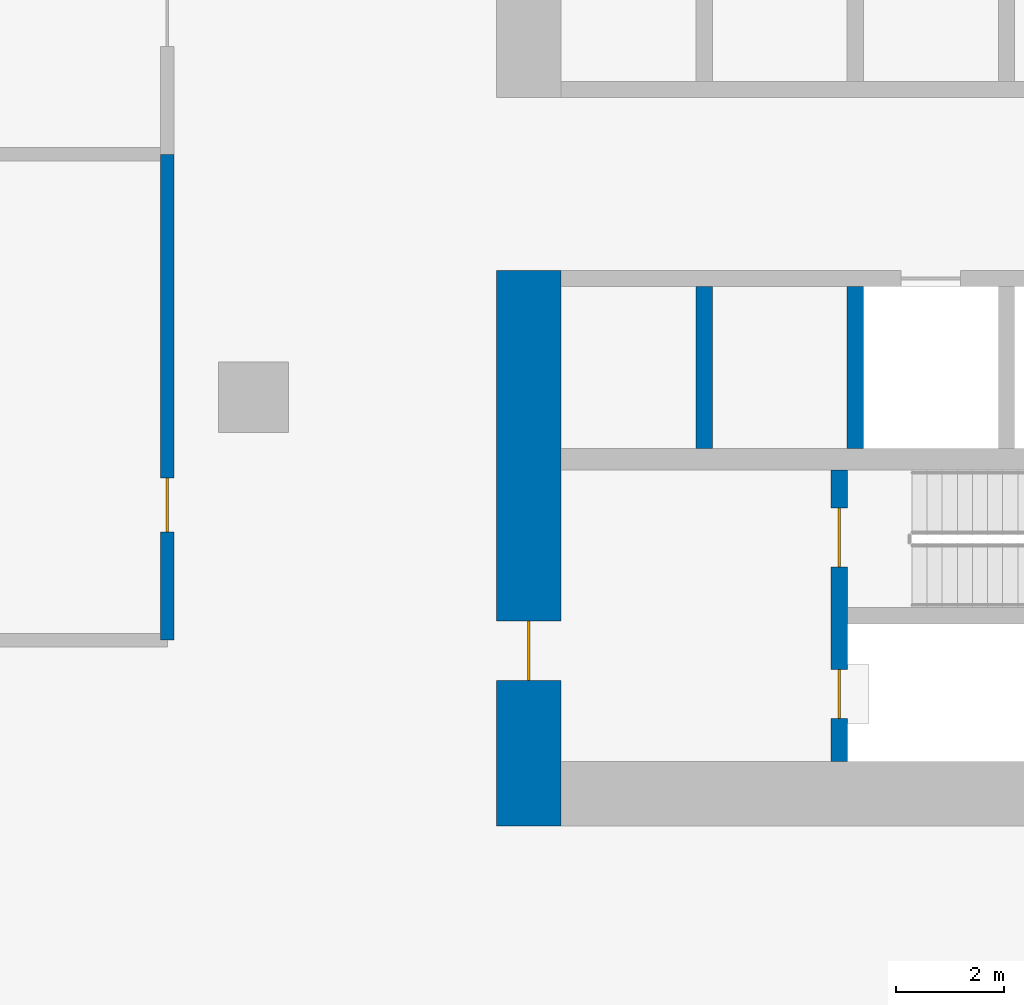
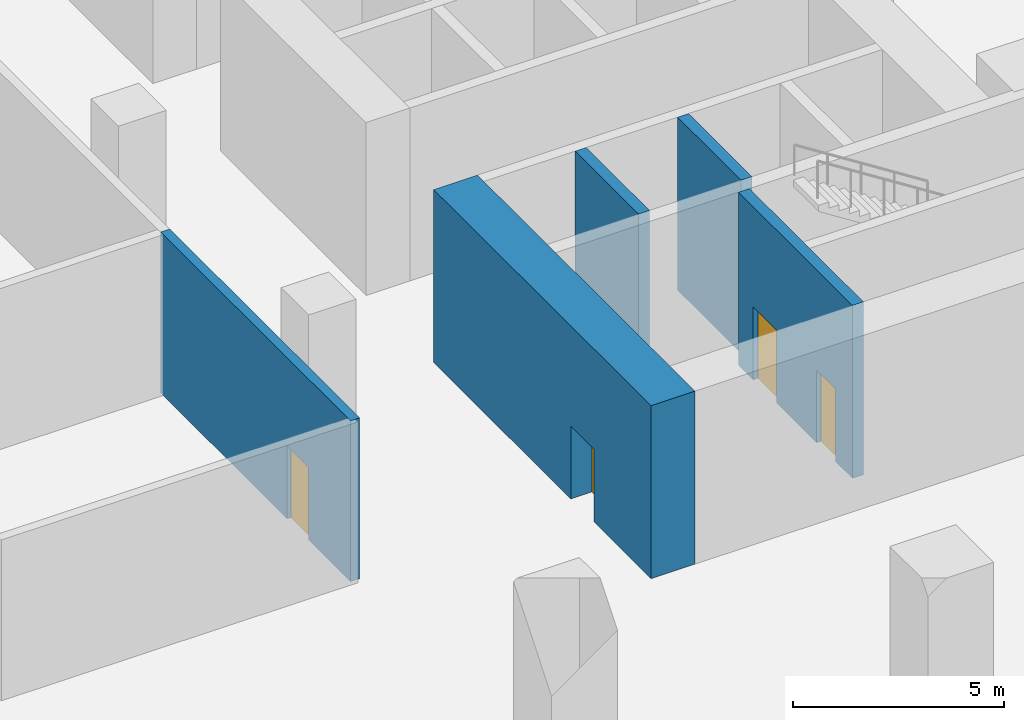
# One storey, part 2 of 9: 5 walls, 4 doors, 4 openings.
"""IFC4 building model written with IfcOpenShell, lengths in metres."""

from ifc_helpers import new_model, si_unit, direction, frame, frame_2d, origin, place, context, subcontext, project, spatial, rectangle, extrude, material, layer, layer_set, type_object, element, fill, save


model = new_model("IFC4")

# Units and contexts
model_context = context("Model", 3, precision=1e-05, world=origin(), true_north=direction((0.0, 1.0)))
body_context = subcontext(model_context, "Body", "Model", "MODEL_VIEW")
ifc_project = project(units=[si_unit("LENGTHUNIT", "METRE"), si_unit("AREAUNIT", "SQUARE_METRE"), si_unit("VOLUMEUNIT", "CUBIC_METRE"), si_unit("PLANEANGLEUNIT", "RADIAN"), si_unit("MASSUNIT", "GRAM", prefix="KILO")], contexts=[model_context])

# Site, building, storey
site_placement = place(None, origin())
site = spatial("IfcSite", under=ifc_project, at=site_placement, CompositionType="ELEMENT")
building_placement = place(site_placement, origin())
building = spatial("IfcBuilding", under=site, at=building_placement, Name="Ostrand Prow Hotel Tower", CompositionType="ELEMENT")
storey_placement = place(building_placement, frame((0.0, 0.0, -5.0)))
storey = spatial("IfcBuildingStorey", under=building, at=storey_placement, Name="B1", CompositionType="ELEMENT", Elevation=-5.0)

# Wall, opening, door
ifc_material_1 = material(Name="Concrete C80/95", Category="concrete")
ifc_layer_1 = layer(ifc_material_1, 1.199951171875)
ifc_layer_set_1 = layer_set([ifc_layer_1], Name="Concrete C80/95")
wall_type_1 = type_object("IfcWallType", Name="Core wall 1200 C80/95", PredefinedType="SHEAR", material=ifc_layer_set_1)
wall_1_placement = place(storey_placement, frame((50.10009765625, -16.949951171875, 0.0), z_axis=(0.0, 0.0, 1.0), x_axis=(0.0, 1.0, 0.0)))
wall_1 = element("IfcWall", 1, at=wall_1_placement, inside=storey, type_object=wall_type_1, Name="Core wall CW-W-S", PredefinedType="SHEAR", context=body_context, shape_type="SweptSolid", body=[
    extrude(rectangle(XDim=10.300048828125, YDim=1.199951171875, at=frame_2d((5.14990234375, 0.0))), origin(), (0.0, 0.0, 1.0), 5.0),
])
opening_1_placement = place(wall_1_placement, frame((2.699951171875, 0.0, 0.0)))
opening_1 = element("IfcOpeningElement", 2, at=opening_1_placement, cuts=wall_1, Name="Opening FD1", PredefinedType="OPENING", context=body_context, shape_type="SweptSolid", body=[
    extrude(rectangle(XDim=1.10009765625, YDim=2.10009765625, at=frame_2d((0.550048828125, 1.050048828125))), frame((0.0, 0.60986328125, 0.0), z_axis=(0.0, -1.0, 0.0), x_axis=(1.0, 0.0, 0.0)), (0.0, 0.0, 1.0), 1.219970703125),
])
ifc_material_2 = material(Name="Steel fire door", Category="steel")
door_type_1 = type_object("IfcDoorType", Name="Fire door 1100 EI120", OperationType="SINGLE_SWING_RIGHT", PredefinedType="DOOR", material=ifc_material_2)
door_1_placement = place(opening_1_placement, origin())
door_1 = element("IfcDoor", 3, at=door_1_placement, inside=storey, type_object=door_type_1, Name="FIRE DOOR", OperationType="SINGLE_SWING_RIGHT", OverallHeight=2.10009765625, OverallWidth=1.10009765625, PredefinedType="DOOR", context=body_context, shape_type="SweptSolid", body=[
    extrude(rectangle(XDim=1.10009765625, YDim=2.10009765625, at=frame_2d((0.550048828125, 1.050048828125))), frame((0.0, 0.02490234375, 0.0), z_axis=(0.0, -1.0, 0.0), x_axis=(1.0, 0.0, 0.0)), (0.0, 0.0, 1.0), 0.050048828125),
])
fill(opening_1, door_1)

# Walls
ifc_material_3 = material(Name="Concrete C80/95", Category="concrete")
ifc_layer_2 = layer(ifc_material_3, 0.300048828125)
ifc_layer_set_2 = layer_set([ifc_layer_2], Name="Concrete C80/95")
wall_type_2 = type_object("IfcWallType", Name="Core wall 300 C80/95", PredefinedType="SHEAR", material=ifc_layer_set_2)
for number, where, z_axis, x_axis, name in (
    (4, (53.35009765625, -9.949951171875, 0.0), (0.0, 0.0, 1.0), (0.0, 1.0, 0.0), "Core wall PW-R1-SA"),
    (5, (56.14990234375, -9.949951171875, 0.0), (0.0, 0.0, 1.0), (0.0, 1.0, 0.0), "Core wall PW-R2-SA"),
):
    element("IfcWall", number, at=place(storey_placement, frame(where, z_axis=z_axis, x_axis=x_axis)), inside=storey, type_object=wall_type_2, Name=name, PredefinedType="SHEAR", context=body_context, shape_type="SweptSolid", body=[
        extrude(rectangle(XDim=3.0, YDim=0.300048828125, at=frame_2d((1.5, 0.0))), origin(), (0.0, 0.0, 1.0), 5.0),
    ])

# Wall, openings, doors
wall_2_placement = place(storey_placement, frame((55.85009765625, -15.75, 0.0), z_axis=(0.0, 0.0, 1.0), x_axis=(0.0, 1.0, 0.0)))
wall_2 = element("IfcWall", 6, at=wall_2_placement, inside=storey, type_object=wall_type_2, Name="Core wall PW-VS", PredefinedType="SHEAR", context=body_context, shape_type="SweptSolid", body=[
    extrude(rectangle(XDim=5.39990234375, YDim=0.300048828125, at=frame_2d((2.699951171875, 0.0))), origin(), (0.0, 0.0, 1.0), 5.0),
])
opening_2_placement = place(wall_2_placement, frame((3.60009765625, 0.0, 0.0)))
opening_2 = element("IfcOpeningElement", 7, at=opening_2_placement, cuts=wall_2, Name="Opening FD1", PredefinedType="OPENING", context=body_context, shape_type="SweptSolid", body=[
    extrude(rectangle(XDim=1.10009765625, YDim=2.10009765625, at=frame_2d((0.550048828125, 1.050048828125))), frame((0.0, 0.159912109375, 0.0), z_axis=(0.0, -1.0, 0.0), x_axis=(1.0, 0.0, 0.0)), (0.0, 0.0, 1.0), 0.320068359375),
])
opening_3_placement = place(wall_2_placement, frame((0.800048828125, 0.0, 0.0)))
opening_3 = element("IfcOpeningElement", 8, at=opening_3_placement, cuts=wall_2, Name="Opening FD2", PredefinedType="OPENING", context=body_context, shape_type="SweptSolid", body=[
    extrude(rectangle(XDim=0.89990234375, YDim=2.10009765625, at=frame_2d((0.449951171875, 1.050048828125))), frame((0.0, 0.159912109375, 0.0), z_axis=(0.0, -1.0, 0.0), x_axis=(1.0, 0.0, 0.0)), (0.0, 0.0, 1.0), 0.320068359375),
])
door_2_placement = place(opening_2_placement, origin())
door_2 = element("IfcDoor", 9, at=door_2_placement, inside=storey, type_object=door_type_1, Name="FIRE DOOR", OperationType="SINGLE_SWING_RIGHT", OverallHeight=2.10009765625, OverallWidth=1.10009765625, PredefinedType="DOOR", context=body_context, shape_type="SweptSolid", body=[
    extrude(rectangle(XDim=1.10009765625, YDim=2.10009765625, at=frame_2d((0.550048828125, 1.050048828125))), frame((0.0, 0.02490234375, 0.0), z_axis=(0.0, -1.0, 0.0), x_axis=(1.0, 0.0, 0.0)), (0.0, 0.0, 1.0), 0.050048828125),
])
fill(opening_2, door_2)
ifc_material_4 = material(Name="Steel fire door", Category="steel")
door_type_2 = type_object("IfcDoorType", Name="Fire door 900 EI120", OperationType="SINGLE_SWING_LEFT", PredefinedType="DOOR", material=ifc_material_4)
door_3_placement = place(opening_3_placement, origin())
door_3 = element("IfcDoor", 10, at=door_3_placement, inside=storey, type_object=door_type_2, Name="FIRE DOOR", OperationType="SINGLE_SWING_LEFT", OverallHeight=2.10009765625, OverallWidth=0.89990234375, PredefinedType="DOOR", context=body_context, shape_type="SweptSolid", body=[
    extrude(rectangle(XDim=0.89990234375, YDim=2.10009765625, at=frame_2d((0.449951171875, 1.050048828125))), frame((0.0, 0.02490234375, 0.0), z_axis=(0.0, -1.0, 0.0), x_axis=(1.0, 0.0, 0.0)), (0.0, 0.0, 1.0), 0.050048828125),
])
fill(opening_3, door_3)

# Wall, opening, door
ifc_material_5 = material(Name="Concrete block wall", Category="concrete")
ifc_layer_3 = layer(ifc_material_5, 0.25)
ifc_layer_set_3 = layer_set([ifc_layer_3], Name="Concrete block wall")
wall_type_3 = type_object("IfcWallType", Name="Service fire wall 250 masonry", PredefinedType="PARTITIONING", material=ifc_layer_set_3)
wall_3_placement = place(storey_placement, frame((43.39990234375, -13.5, 0.0), z_axis=(0.0, 0.0, 1.0), x_axis=(0.0, 1.0, 0.0)))
wall_3 = element("IfcWall", 11, at=wall_3_placement, inside=storey, type_object=wall_type_3, Name="SERVICE WALL", PredefinedType="PARTITIONING", context=body_context, shape_type="SweptSolid", body=[
    extrude(rectangle(XDim=9.0, YDim=0.25, at=frame_2d((4.5, 0.0))), origin(), (0.0, 0.0, 1.0), 4.64990234375),
])
opening_4_placement = place(wall_3_placement, frame((2.0, 0.0, 0.0)))
opening_4 = element("IfcOpeningElement", 12, at=opening_4_placement, cuts=wall_3, Name="Opening SD1", PredefinedType="OPENING", context=body_context, shape_type="SweptSolid", body=[
    extrude(rectangle(XDim=1.0, YDim=2.10009765625, at=frame_2d((0.5, 1.050048828125))), frame((0.0, 0.135009765625, 0.0), z_axis=(0.0, -1.0, 0.0), x_axis=(1.0, 0.0, 0.0)), (0.0, 0.0, 1.0), 0.27001953125),
])
ifc_material_6 = material(Name="Steel fire door", Category="steel")
door_type_3 = type_object("IfcDoorType", Name="Service door 1000 EI120", OperationType="SINGLE_SWING_LEFT", PredefinedType="DOOR", material=ifc_material_6)
door_4_placement = place(opening_4_placement, origin())
door_4 = element("IfcDoor", 13, at=door_4_placement, inside=storey, type_object=door_type_3, Name="SERVICE DOOR", OperationType="SINGLE_SWING_LEFT", OverallHeight=2.10009765625, OverallWidth=1.0, PredefinedType="DOOR", context=body_context, shape_type="SweptSolid", body=[
    extrude(rectangle(XDim=1.0, YDim=2.10009765625, at=frame_2d((0.5, 1.050048828125))), frame((0.0, 0.02490234375, 0.0), z_axis=(0.0, -1.0, 0.0), x_axis=(1.0, 0.0, 0.0)), (0.0, 0.0, 1.0), 0.050048828125),
])
fill(opening_4, door_4)

save(model, "model.ifc")
